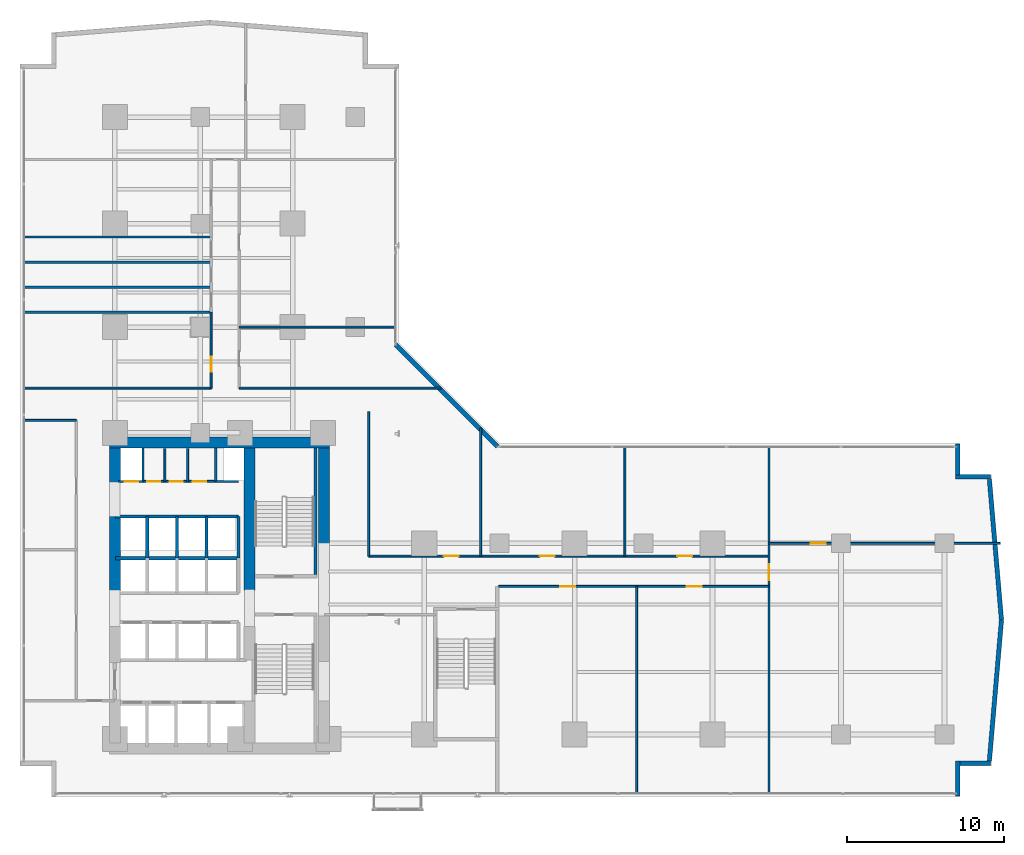
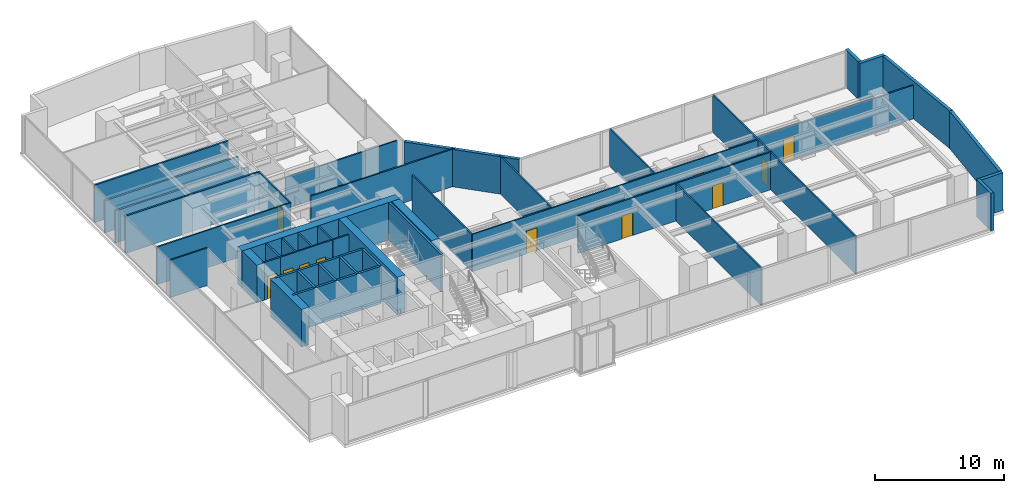
# One storey, part 23 of 26: 43 walls, 12 doors, 12 openings.
"""IFC4 building model written with IfcOpenShell, lengths in metres."""

from ifc_helpers import new_model, si_unit, direction, frame, frame_2d, origin, place, context, subcontext, project, spatial, rectangle, extrude, material, layer, layer_set, type_object, element, fill, save


model = new_model("IFC4")

# Units and contexts
model_context = context("Model", 3, precision=1e-05, world=origin(), true_north=direction((0.0, 1.0)))
body_context = subcontext(model_context, "Body", "Model", "MODEL_VIEW")
ifc_project = project(units=[si_unit("LENGTHUNIT", "METRE"), si_unit("AREAUNIT", "SQUARE_METRE"), si_unit("VOLUMEUNIT", "CUBIC_METRE"), si_unit("PLANEANGLEUNIT", "RADIAN"), si_unit("MASSUNIT", "GRAM", prefix="KILO")], contexts=[model_context])

# Site, building, storey
site_placement = place(None, origin())
site = spatial("IfcSite", under=ifc_project, at=site_placement, CompositionType="ELEMENT")
building_placement = place(site_placement, origin())
building = spatial("IfcBuilding", under=site, at=building_placement, Name="Kolvaren Waterfront Exchange", CompositionType="ELEMENT")
storey_placement = place(building_placement, frame((0.0, 0.0, 44.800048828125)))
storey = spatial("IfcBuildingStorey", under=building, at=storey_placement, Name="L11", CompositionType="ELEMENT", Elevation=44.800048828125)

# Walls
ifc_material_1 = material(Name="Precast concrete C40/50", Category="concrete")
ifc_layer_1 = layer(ifc_material_1, 0.280029296875, Name="Precast concrete C40/50")
ifc_layer_set_1 = layer_set([ifc_layer_1], Name="Precast concrete C40/50")
wall_type_1 = type_object("IfcWallType", Name="ARC-EXT-TERR-280", PredefinedType="SOLIDWALL", material=ifc_layer_set_1)
wall_1_placement = place(storey_placement, frame((61.239990234375, 1.260009765625, 0.0), z_axis=(0.0, 0.0, 1.0), x_axis=(0.0, 1.0, 0.0)))
element("IfcWall", 1, at=wall_1_placement, inside=storey, type_object=wall_type_1, Name="L11 notched corner spandrel pier SE-A", PredefinedType="SOLIDWALL", context=body_context, shape_type="SweptSolid", body=[
    extrude(rectangle(XDim=2.239990234375, YDim=0.280029296875, at=frame_2d((1.1201171875, 0.0))), origin(), (0.0, 0.0, 1.0), 3.5400390625),
])
wall_2_placement = place(storey_placement, frame((61.3798828125, 3.360107421875, 0.0), z_axis=(0.0, 0.0, 1.0), x_axis=(1.0, 0.0, 0.0)))
element("IfcWall", 2, at=wall_2_placement, inside=storey, type_object=wall_type_1, Name="L11 notched corner spandrel pier SE-B", PredefinedType="SOLIDWALL", context=body_context, shape_type="SweptSolid", body=[
    extrude(rectangle(XDim=1.960205078125, YDim=0.280029296875, at=frame_2d((0.97998046875, 0.0))), origin(), (0.0, 0.0, 1.0), 3.5400390625),
])
wall_3_placement = place(storey_placement, frame((61.239990234375, 21.764892578125, 0.0), z_axis=(0.0, 0.0, 1.0), x_axis=(0.0, 1.0, 0.0)))
element("IfcWall", 3, at=wall_3_placement, inside=storey, type_object=wall_type_1, Name="L11 notched corner spandrel pier ENE-A", PredefinedType="SOLIDWALL", context=body_context, shape_type="SweptSolid", body=[
    extrude(rectangle(XDim=1.97509765625, YDim=0.280029296875, at=frame_2d((0.987548828125, 0.0))), origin(), (0.0, 0.0, 1.0), 3.5400390625),
])
wall_4_placement = place(storey_placement, frame((61.10009765625, 21.639892578125, 0.0), z_axis=(0.0, 0.0, 1.0), x_axis=(1.0, 0.0, 0.0)))
element("IfcWall", 4, at=wall_4_placement, inside=storey, type_object=wall_type_1, Name="L11 notched corner spandrel pier ENE-B", PredefinedType="SOLIDWALL", context=body_context, shape_type="SweptSolid", body=[
    extrude(rectangle(XDim=2.239990234375, YDim=0.280029296875, at=frame_2d((1.1201171875, 0.0))), origin(), (0.0, 0.0, 1.0), 3.5400390625),
])
wall_5_placement = place(storey_placement, frame((31.885009765625, 23.574951171875, 0.0), z_axis=(0.0, 0.0, 1.0), x_axis=(-0.707106781187, 0.707106781187, 0.0)))
element("IfcWall", 5, at=wall_5_placement, inside=storey, type_object=wall_type_1, Name="L11 notched corner spandrel pier ELBOW", PredefinedType="SOLIDWALL", context=body_context, shape_type="SweptSolid", body=[
    extrude(rectangle(XDim=9.20654296875, YDim=0.280029296875, at=frame_2d((4.603271484375, 0.0))), origin(), (0.0, 0.0, 1.0), 3.5400390625),
])
for number, where, z_axis, x_axis, name in (
    (6, (63.266357421875, 3.5126953125, 0.0), (0.0, 0.0, 1.0), (0.085692274626, 0.996321651912, 0.0), "L11 east prow faceted facade wall 1"),
    (7, (64.038818359375, 12.506103515625, 0.0), (0.0, 0.0, 1.0), (-0.085692274626, 0.996321651912, 0.0), "L11 east prow faceted facade wall 2"),
):
    element("IfcWall", number, at=place(storey_placement, frame(where, z_axis=z_axis, x_axis=x_axis)), inside=storey, type_object=wall_type_1, Name=name, PredefinedType="SOLIDWALL", context=body_context, shape_type="SweptSolid", body=[
        extrude(rectangle(XDim=9.014404296875, YDim=0.280029296875, at=frame_2d((4.50732421875, 0.0))), origin(), (0.0, 0.0, 1.0), 3.5400390625),
    ])

# Wall, openings, doors
ifc_material_2 = material(Name="Acoustic gypsum steel stud", Category="steel")
ifc_layer_2 = layer(ifc_material_2, 0.125, Name="Acoustic gypsum steel stud")
ifc_layer_set_2 = layer_set([ifc_layer_2], Name="Acoustic gypsum steel stud")
wall_type_2 = type_object("IfcWallType", Name="ARC-PART-125", PredefinedType="PARTITIONING", material=ifc_layer_set_2)
wall_6_placement = place(storey_placement, frame((9.25, 21.35009765625, 0.0), z_axis=(0.0, 0.0, 1.0), x_axis=(1.0, 0.0, 0.0)))
wall_6 = element("IfcWall", 8, at=wall_6_placement, inside=storey, type_object=wall_type_2, Name="L11 interior wall PW-L11-SVC-EX-S", PredefinedType="PARTITIONING", context=body_context, shape_type="SweptSolid", body=[
    extrude(rectangle(XDim=4.64990234375, YDim=0.125, at=frame_2d((2.324951171875, 0.0))), origin(), (0.0, 0.0, 1.0), 3.5400390625),
])
opening_1_placement = place(wall_6_placement, frame((0.264892578125, 0.0, 0.0)))
opening_1 = element("IfcOpeningElement", 9, at=opening_1_placement, cuts=wall_6, Name="Opening D01", PredefinedType="OPENING", context=body_context, shape_type="SweptSolid", body=[
    extrude(rectangle(XDim=0.85009765625, YDim=2.14990234375, at=frame_2d((0.425048828125, 1.074951171875))), frame((0.0, 0.072509765625, 0.0), z_axis=(0.0, -1.0, 0.0), x_axis=(1.0, 0.0, 0.0)), (0.0, 0.0, 1.0), 0.14501953125),
])
opening_2_placement = place(wall_6_placement, frame((1.695068359375, 0.0, 0.0)))
opening_2 = element("IfcOpeningElement", 10, at=opening_2_placement, cuts=wall_6, Name="Opening D01", PredefinedType="OPENING", context=body_context, shape_type="SweptSolid", body=[
    extrude(rectangle(XDim=0.85009765625, YDim=2.14990234375, at=frame_2d((0.425048828125, 1.074951171875))), frame((0.0, 0.072509765625, 0.0), z_axis=(0.0, -1.0, 0.0), x_axis=(1.0, 0.0, 0.0)), (0.0, 0.0, 1.0), 0.14501953125),
])
opening_3_placement = place(wall_6_placement, frame((3.18994140625, 0.0, 0.0)))
opening_3 = element("IfcOpeningElement", 11, at=opening_3_placement, cuts=wall_6, Name="Opening D01", PredefinedType="OPENING", context=body_context, shape_type="SweptSolid", body=[
    extrude(rectangle(XDim=0.85009765625, YDim=2.14990234375, at=frame_2d((0.425048828125, 1.074951171875))), frame((0.0, 0.072509765625, 0.0), z_axis=(0.0, -1.0, 0.0), x_axis=(1.0, 0.0, 0.0)), (0.0, 0.0, 1.0), 0.14501953125),
])
ifc_material_3 = material(Name="Oak veneer timber leaf", Category="wood")
door_type_1 = type_object("IfcDoorType", Name="ARC-DR-900", OperationType="NOTDEFINED", PredefinedType="DOOR", material=ifc_material_3)
door_1_placement = place(opening_1_placement, origin())
door_1 = element("IfcDoor", 12, at=door_1_placement, inside=storey, type_object=door_type_1, Name="L11 door DR-L11-SVC-DR-1 (D01)", OperationType="SINGLE_SWING_LEFT", OverallHeight=2.14990234375, OverallWidth=0.85009765625, PredefinedType="DOOR", context=body_context, shape_type="SweptSolid", body=[
    extrude(rectangle(XDim=0.85009765625, YDim=2.14990234375, at=frame_2d((0.425048828125, 1.074951171875))), frame((0.0, 0.02490234375, 0.0), z_axis=(0.0, -1.0, 0.0), x_axis=(1.0, 0.0, 0.0)), (0.0, 0.0, 1.0), 0.050048828125),
])
fill(opening_1, door_1)
door_2_placement = place(opening_2_placement, origin())
door_2 = element("IfcDoor", 13, at=door_2_placement, inside=storey, type_object=door_type_1, Name="L11 door DR-L11-SVC-DR-2 (D01)", OperationType="SINGLE_SWING_RIGHT", OverallHeight=2.14990234375, OverallWidth=0.85009765625, PredefinedType="DOOR", context=body_context, shape_type="SweptSolid", body=[
    extrude(rectangle(XDim=0.85009765625, YDim=2.14990234375, at=frame_2d((0.425048828125, 1.074951171875))), frame((0.0, 0.02490234375, 0.0), z_axis=(0.0, -1.0, 0.0), x_axis=(1.0, 0.0, 0.0)), (0.0, 0.0, 1.0), 0.050048828125),
])
fill(opening_2, door_2)
door_3_placement = place(opening_3_placement, origin())
door_3 = element("IfcDoor", 14, at=door_3_placement, inside=storey, type_object=door_type_1, Name="L11 door DR-L11-SVC-DR-3 (D01)", OperationType="SINGLE_SWING_LEFT", OverallHeight=2.14990234375, OverallWidth=0.85009765625, PredefinedType="DOOR", context=body_context, shape_type="SweptSolid", body=[
    extrude(rectangle(XDim=0.85009765625, YDim=2.14990234375, at=frame_2d((0.425048828125, 1.074951171875))), frame((0.0, 0.02490234375, 0.0), z_axis=(0.0, -1.0, 0.0), x_axis=(1.0, 0.0, 0.0)), (0.0, 0.0, 1.0), 0.050048828125),
])
fill(opening_3, door_3)

# Walls
for number, where, z_axis, x_axis, name in (
    (15, (10.64990234375, 21.35009765625, 0.0), (0.0, 0.0, 1.0), (0.0, 1.0, 0.0), "L11 interior wall PW-L11-SVC-EX-A"),
    (16, (12.10009765625, 21.35009765625, 0.0), (0.0, 0.0, 1.0), (0.0, 1.0, 0.0), "L11 interior wall PW-L11-SVC-EX-B"),
):
    element("IfcWall", number, at=place(storey_placement, frame(where, z_axis=z_axis, x_axis=x_axis)), inside=storey, type_object=wall_type_2, Name=name, PredefinedType="PARTITIONING", context=body_context, shape_type="SweptSolid", body=[
        extrude(rectangle(XDim=2.099853515625, YDim=0.125, at=frame_2d((1.0498046875, 0.0))), origin(), (0.0, 0.0, 1.0), 3.5400390625),
    ])

# Wall, opening, door
wall_7_placement = place(storey_placement, frame((13.60009765625, 27.300048828125, 0.0), z_axis=(0.0, 0.0, 1.0), x_axis=(0.0, 1.0, 0.0)))
wall_7 = element("IfcWall", 17, at=wall_7_placement, inside=storey, type_object=wall_type_2, Name="L11 interior wall PW-L11-PREWC-E", PredefinedType="PARTITIONING", context=body_context, shape_type="SweptSolid", body=[
    extrude(rectangle(XDim=4.849853515625, YDim=0.125, at=frame_2d((2.4248046875, 0.0))), origin(), (0.0, 0.0, 1.0), 3.5400390625),
])
opening_4_placement = place(wall_7_placement, frame((1.050048828125, 0.0, 0.0)))
opening_4 = element("IfcOpeningElement", 18, at=opening_4_placement, cuts=wall_7, Name="Opening D02", PredefinedType="OPENING", context=body_context, shape_type="SweptSolid", body=[
    extrude(rectangle(XDim=0.949951171875, YDim=2.14990234375, at=frame_2d((0.47509765625, 1.074951171875))), frame((0.0, 0.072509765625, 0.0), z_axis=(0.0, -1.0, 0.0), x_axis=(1.0, 0.0, 0.0)), (0.0, 0.0, 1.0), 0.14501953125),
])
ifc_material_4 = material(Name="Oak veneer acoustic timber", Category="wood")
door_type_2 = type_object("IfcDoorType", Name="ARC-DR-950", OperationType="NOTDEFINED", PredefinedType="DOOR", material=ifc_material_4)
door_4_placement = place(opening_4_placement, origin())
door_4 = element("IfcDoor", 19, at=door_4_placement, inside=storey, type_object=door_type_2, Name="L11 door DR-L11-PREWC-D (D02)", OperationType="SINGLE_SWING_RIGHT", OverallHeight=2.14990234375, OverallWidth=0.949951171875, PredefinedType="DOOR", context=body_context, shape_type="SweptSolid", body=[
    extrude(rectangle(XDim=0.949951171875, YDim=2.14990234375, at=frame_2d((0.47509765625, 1.074951171875))), frame((0.0, 0.02490234375, 0.0), z_axis=(0.0, -1.0, 0.0), x_axis=(1.0, 0.0, 0.0)), (0.0, 0.0, 1.0), 0.050048828125),
])
fill(opening_4, door_4)

# Walls
wall_8_placement = place(storey_placement, frame((1.639892578125, 27.300048828125, 0.0), z_axis=(0.0, 0.0, 1.0), x_axis=(1.0, 0.0, 0.0)))
element("IfcWall", 20, at=wall_8_placement, inside=storey, type_object=wall_type_2, Name="L11 interior wall PW-L11-PREWC-S", PredefinedType="PARTITIONING", context=body_context, shape_type="SweptSolid", body=[
    extrude(rectangle(XDim=11.960205078125, YDim=0.125, at=frame_2d((5.97998046875, 0.0))), origin(), (0.0, 0.0, 1.0), 3.5400390625),
])
wall_9_placement = place(storey_placement, frame((1.639892578125, 25.25, 0.0), z_axis=(0.0, 0.0, 1.0), x_axis=(1.0, 0.0, 0.0)))
element("IfcWall", 21, at=wall_9_placement, inside=storey, type_object=wall_type_2, Name="L11 interior wall PW-L11-WFLANK-N", PredefinedType="PARTITIONING", context=body_context, shape_type="SweptSolid", body=[
    extrude(rectangle(XDim=3.360107421875, YDim=0.125, at=frame_2d((1.68017578125, 0.0))), origin(), (0.0, 0.0, 1.0), 3.5400390625),
])

# Wall, openings, doors
wall_10_placement = place(storey_placement, frame((31.949951171875, 14.64990234375, 0.0), z_axis=(0.0, 0.0, 1.0), x_axis=(1.0, 0.0, 0.0)))
wall_10 = element("IfcWall", 22, at=wall_10_placement, inside=storey, type_object=wall_type_2, Name="L11 interior wall PW-L11-ES-CORR", PredefinedType="PARTITIONING", context=body_context, shape_type="SweptSolid", body=[
    extrude(rectangle(XDim=17.25, YDim=0.125, at=frame_2d((8.625, 0.0))), origin(), (0.0, 0.0, 1.0), 3.5400390625),
])
opening_5_placement = place(wall_10_placement, frame((3.925048828125, 0.0, 0.0)))
opening_5 = element("IfcOpeningElement", 23, at=opening_5_placement, cuts=wall_10, Name="Opening D02", PredefinedType="OPENING", context=body_context, shape_type="SweptSolid", body=[
    extrude(rectangle(XDim=0.949951171875, YDim=2.14990234375, at=frame_2d((0.47509765625, 1.074951171875))), frame((0.0, 0.072509765625, 0.0), z_axis=(0.0, -1.0, 0.0), x_axis=(1.0, 0.0, 0.0)), (0.0, 0.0, 1.0), 0.14501953125),
])
opening_6_placement = place(wall_10_placement, frame((12.0048828125, 0.0, 0.0)))
opening_6 = element("IfcOpeningElement", 24, at=opening_6_placement, cuts=wall_10, Name="Opening D02", PredefinedType="OPENING", context=body_context, shape_type="SweptSolid", body=[
    extrude(rectangle(XDim=0.949951171875, YDim=2.14990234375, at=frame_2d((0.47509765625, 1.074951171875))), frame((0.0, 0.072509765625, 0.0), z_axis=(0.0, -1.0, 0.0), x_axis=(1.0, 0.0, 0.0)), (0.0, 0.0, 1.0), 0.14501953125),
])
door_5_placement = place(opening_5_placement, origin())
door_5 = element("IfcDoor", 25, at=door_5_placement, inside=storey, type_object=door_type_2, Name="L11 door DR-L11-ES-D-1 (D02)", OperationType="SINGLE_SWING_RIGHT", OverallHeight=2.14990234375, OverallWidth=0.949951171875, PredefinedType="DOOR", context=body_context, shape_type="SweptSolid", body=[
    extrude(rectangle(XDim=0.949951171875, YDim=2.14990234375, at=frame_2d((0.47509765625, 1.074951171875))), frame((0.0, 0.02490234375, 0.0), z_axis=(0.0, -1.0, 0.0), x_axis=(1.0, 0.0, 0.0)), (0.0, 0.0, 1.0), 0.050048828125),
])
fill(opening_5, door_5)
door_6_placement = place(opening_6_placement, origin())
door_6 = element("IfcDoor", 26, at=door_6_placement, inside=storey, type_object=door_type_2, Name="L11 door DR-L11-ES-D-2 (D02)", OperationType="SINGLE_SWING_LEFT", OverallHeight=2.14990234375, OverallWidth=0.949951171875, PredefinedType="DOOR", context=body_context, shape_type="SweptSolid", body=[
    extrude(rectangle(XDim=0.949951171875, YDim=2.14990234375, at=frame_2d((0.47509765625, 1.074951171875))), frame((0.0, 0.02490234375, 0.0), z_axis=(0.0, -1.0, 0.0), x_axis=(1.0, 0.0, 0.0)), (0.0, 0.0, 1.0), 0.050048828125),
])
fill(opening_6, door_6)

# Wall
wall_11_placement = place(storey_placement, frame((40.75, 1.43994140625, 0.0), z_axis=(0.0, 0.0, 1.0), x_axis=(0.0, 1.0, 0.0)))
element("IfcWall", 27, at=wall_11_placement, inside=storey, type_object=wall_type_2, Name="L11 interior wall PW-L11-ES-DIV-1", PredefinedType="PARTITIONING", context=body_context, shape_type="SweptSolid", body=[
    extrude(rectangle(XDim=13.2099609375, YDim=0.125, at=frame_2d((6.60498046875, 0.0))), origin(), (0.0, 0.0, 1.0), 3.5400390625),
])

# Wall, opening, door
wall_12_placement = place(storey_placement, frame((49.199951171875, 1.43994140625, 0.0), z_axis=(0.0, 0.0, 1.0), x_axis=(0.0, 1.0, 0.0)))
wall_12 = element("IfcWall", 28, at=wall_12_placement, inside=storey, type_object=wall_type_2, Name="L11 interior wall PW-L11-ETIP-W", PredefinedType="PARTITIONING", context=body_context, shape_type="SweptSolid", body=[
    extrude(rectangle(XDim=22.1201171875, YDim=0.125, at=frame_2d((11.06005859375, 0.0))), origin(), (0.0, 0.0, 1.0), 3.5400390625),
])
opening_7_placement = place(wall_12_placement, frame((13.610107421875, 0.0, 0.0)))
opening_7 = element("IfcOpeningElement", 29, at=opening_7_placement, cuts=wall_12, Name="Opening D03", PredefinedType="OPENING", context=body_context, shape_type="SweptSolid", body=[
    extrude(rectangle(XDim=1.0, YDim=2.199951171875, at=frame_2d((0.5, 1.10009765625))), frame((0.0, 0.072509765625, 0.0), z_axis=(0.0, -1.0, 0.0), x_axis=(1.0, 0.0, 0.0)), (0.0, 0.0, 1.0), 0.14501953125),
])
ifc_material_5 = material(Name="Oak veneer accessible timber", Category="wood")
door_type_3 = type_object("IfcDoorType", Name="ARC-DR-1000", OperationType="NOTDEFINED", PredefinedType="DOOR", material=ifc_material_5)
door_7_placement = place(opening_7_placement, origin())
door_7 = element("IfcDoor", 30, at=door_7_placement, inside=storey, type_object=door_type_3, Name="L11 door DR-L11-ETIP1-D (D03)", OperationType="SINGLE_SWING_RIGHT", OverallHeight=2.199951171875, OverallWidth=1.0, PredefinedType="DOOR", context=body_context, shape_type="SweptSolid", body=[
    extrude(rectangle(XDim=1.0, YDim=2.199951171875, at=frame_2d((0.5, 1.10009765625))), frame((0.0, 0.02490234375, 0.0), z_axis=(0.0, -1.0, 0.0), x_axis=(1.0, 0.0, 0.0)), (0.0, 0.0, 1.0), 0.050048828125),
])
fill(opening_7, door_7)

wall_13_placement = place(storey_placement, frame((49.199951171875, 17.39990234375, 0.0), z_axis=(0.0, 0.0, 1.0), x_axis=(1.0, 0.0, 0.0)))
wall_13 = element("IfcWall", 31, at=wall_13_placement, inside=storey, type_object=wall_type_2, Name="L11 interior wall PW-L11-ETIP-MID", PredefinedType="PARTITIONING", context=body_context, shape_type="SweptSolid", body=[
    extrude(rectangle(XDim=14.760009765625, YDim=0.125, at=frame_2d((7.3798828125, 0.0))), origin(), (0.0, 0.0, 1.0), 3.179931640625),
])
opening_8_placement = place(wall_13_placement, frame((2.66259765625, 0.0, 0.0)))
opening_8 = element("IfcOpeningElement", 32, at=opening_8_placement, cuts=wall_13, Name="Opening D02", PredefinedType="OPENING", context=body_context, shape_type="SweptSolid", body=[
    extrude(rectangle(XDim=0.949951171875, YDim=2.14990234375, at=frame_2d((0.47509765625, 1.074951171875))), frame((0.0, 0.072509765625, 0.0), z_axis=(0.0, -1.0, 0.0), x_axis=(1.0, 0.0, 0.0)), (0.0, 0.0, 1.0), 0.14501953125),
])
door_8_placement = place(opening_8_placement, origin())
door_8 = element("IfcDoor", 33, at=door_8_placement, inside=storey, type_object=door_type_2, Name="L11 door DR-L11-ETIP2-D (D02)", OperationType="SINGLE_SWING_LEFT", OverallHeight=2.14990234375, OverallWidth=0.949951171875, PredefinedType="DOOR", context=body_context, shape_type="SweptSolid", body=[
    extrude(rectangle(XDim=0.949951171875, YDim=2.14990234375, at=frame_2d((0.47509765625, 1.074951171875))), frame((0.0, 0.02490234375, 0.0), z_axis=(0.0, -1.0, 0.0), x_axis=(1.0, 0.0, 0.0)), (0.0, 0.0, 1.0), 0.050048828125),
])
fill(opening_8, door_8)

# Wall
wall_14_placement = place(storey_placement, frame((23.64990234375, 16.590087890625, 0.0), z_axis=(0.0, 0.0, 1.0), x_axis=(0.0, 1.0, 0.0)))
element("IfcWall", 34, at=wall_14_placement, inside=storey, type_object=wall_type_2, Name="L11 interior wall PW-L11-EN-W0", PredefinedType="PARTITIONING", context=body_context, shape_type="SweptSolid", body=[
    extrude(rectangle(XDim=9.2099609375, YDim=0.125, at=frame_2d((4.60498046875, 0.0))), origin(), (0.0, 0.0, 1.0), 3.5400390625),
])

# Wall, openings, doors
wall_15_placement = place(storey_placement, frame((23.64990234375, 16.590087890625, 0.0), z_axis=(0.0, 0.0, 1.0), x_axis=(1.0, 0.0, 0.0)))
wall_15 = element("IfcWall", 35, at=wall_15_placement, inside=storey, type_object=wall_type_2, Name="L11 interior wall PW-L11-EN-CORR", PredefinedType="PARTITIONING", context=body_context, shape_type="SweptSolid", body=[
    extrude(rectangle(XDim=25.550048828125, YDim=0.125, at=frame_2d((12.77490234375, 0.0))), origin(), (0.0, 0.0, 1.0), 3.5400390625),
])
opening_9_placement = place(wall_15_placement, frame((4.805419921875, 0.0, 0.0)))
opening_9 = element("IfcOpeningElement", 36, at=opening_9_placement, cuts=wall_15, Name="Opening D02", PredefinedType="OPENING", context=body_context, shape_type="SweptSolid", body=[
    extrude(rectangle(XDim=0.949951171875, YDim=2.14990234375, at=frame_2d((0.47509765625, 1.074951171875))), frame((0.0, 0.072509765625, 0.0), z_axis=(0.0, -1.0, 0.0), x_axis=(1.0, 0.0, 0.0)), (0.0, 0.0, 1.0), 0.14501953125),
])
opening_10_placement = place(wall_15_placement, frame((10.923583984375, 0.0, 0.0)))
opening_10 = element("IfcOpeningElement", 37, at=opening_10_placement, cuts=wall_15, Name="Opening D02", PredefinedType="OPENING", context=body_context, shape_type="SweptSolid", body=[
    extrude(rectangle(XDim=0.949951171875, YDim=2.14990234375, at=frame_2d((0.47509765625, 1.074951171875))), frame((0.0, 0.072509765625, 0.0), z_axis=(0.0, -1.0, 0.0), x_axis=(1.0, 0.0, 0.0)), (0.0, 0.0, 1.0), 0.14501953125),
])
opening_11_placement = place(wall_15_placement, frame((19.701904296875, 0.0, 0.0)))
opening_11 = element("IfcOpeningElement", 38, at=opening_11_placement, cuts=wall_15, Name="Opening D02", PredefinedType="OPENING", context=body_context, shape_type="SweptSolid", body=[
    extrude(rectangle(XDim=0.949951171875, YDim=2.14990234375, at=frame_2d((0.47509765625, 1.074951171875))), frame((0.0, 0.072509765625, 0.0), z_axis=(0.0, -1.0, 0.0), x_axis=(1.0, 0.0, 0.0)), (0.0, 0.0, 1.0), 0.14501953125),
])
door_9_placement = place(opening_9_placement, origin())
door_9 = element("IfcDoor", 39, at=door_9_placement, inside=storey, type_object=door_type_2, Name="L11 door DR-L11-EN-D-1 (D02)", OperationType="SINGLE_SWING_RIGHT", OverallHeight=2.14990234375, OverallWidth=0.949951171875, PredefinedType="DOOR", context=body_context, shape_type="SweptSolid", body=[
    extrude(rectangle(XDim=0.949951171875, YDim=2.14990234375, at=frame_2d((0.47509765625, 1.074951171875))), frame((0.0, 0.02490234375, 0.0), z_axis=(0.0, -1.0, 0.0), x_axis=(1.0, 0.0, 0.0)), (0.0, 0.0, 1.0), 0.050048828125),
])
fill(opening_9, door_9)
door_10_placement = place(opening_10_placement, origin())
door_10 = element("IfcDoor", 40, at=door_10_placement, inside=storey, type_object=door_type_2, Name="L11 door DR-L11-EN-D-2 (D02)", OperationType="SINGLE_SWING_LEFT", OverallHeight=2.14990234375, OverallWidth=0.949951171875, PredefinedType="DOOR", context=body_context, shape_type="SweptSolid", body=[
    extrude(rectangle(XDim=0.949951171875, YDim=2.14990234375, at=frame_2d((0.47509765625, 1.074951171875))), frame((0.0, 0.02490234375, 0.0), z_axis=(0.0, -1.0, 0.0), x_axis=(1.0, 0.0, 0.0)), (0.0, 0.0, 1.0), 0.050048828125),
])
fill(opening_10, door_10)
door_11_placement = place(opening_11_placement, origin())
door_11 = element("IfcDoor", 41, at=door_11_placement, inside=storey, type_object=door_type_2, Name="L11 door DR-L11-EN-D-3 (D02)", OperationType="SINGLE_SWING_RIGHT", OverallHeight=2.14990234375, OverallWidth=0.949951171875, PredefinedType="DOOR", context=body_context, shape_type="SweptSolid", body=[
    extrude(rectangle(XDim=0.949951171875, YDim=2.14990234375, at=frame_2d((0.47509765625, 1.074951171875))), frame((0.0, 0.02490234375, 0.0), z_axis=(0.0, -1.0, 0.0), x_axis=(1.0, 0.0, 0.0)), (0.0, 0.0, 1.0), 0.050048828125),
])
fill(opening_11, door_11)

# Walls
wall_16_placement = place(storey_placement, frame((30.800048828125, 16.590087890625, 0.0), z_axis=(0.0, 0.0, 1.0), x_axis=(0.0, 1.0, 0.0)))
element("IfcWall", 42, at=wall_16_placement, inside=storey, type_object=wall_type_2, Name="L11 interior wall PW-L11-EN-DIV-1", PredefinedType="PARTITIONING", context=body_context, shape_type="SweptSolid", body=[
    extrude(rectangle(XDim=8.169921875, YDim=0.125, at=frame_2d((4.0849609375, 0.0))), origin(), (0.0, 0.0, 1.0), 3.5400390625),
])
wall_17_placement = place(storey_placement, frame((40.0, 16.590087890625, 0.0), z_axis=(0.0, 0.0, 1.0), x_axis=(0.0, 1.0, 0.0)))
element("IfcWall", 43, at=wall_17_placement, inside=storey, type_object=wall_type_2, Name="L11 interior wall PW-L11-EN-DIV-2", PredefinedType="PARTITIONING", context=body_context, shape_type="SweptSolid", body=[
    extrude(rectangle(XDim=6.969970703125, YDim=0.125, at=frame_2d((3.48486328125, 0.0))), origin(), (0.0, 0.0, 1.0), 3.5400390625),
])
wall_18_placement = place(storey_placement, frame((15.3798828125, 27.300048828125, 0.0), z_axis=(0.0, 0.0, 1.0), x_axis=(1.0, 0.0, 0.0)))
element("IfcWall", 44, at=wall_18_placement, inside=storey, type_object=wall_type_2, Name="L11 interior wall PW-L11-NE-S0", PredefinedType="PARTITIONING", context=body_context, shape_type="SweptSolid", body=[
    extrude(rectangle(XDim=12.880126953125, YDim=0.125, at=frame_2d((6.43994140625, 0.0))), origin(), (0.0, 0.0, 1.0), 3.5400390625),
])
wall_19_placement = place(storey_placement, frame((15.3798828125, 31.199951171875, 0.0), z_axis=(0.0, 0.0, 1.0), x_axis=(1.0, 0.0, 0.0)))
element("IfcWall", 45, at=wall_19_placement, inside=storey, type_object=wall_type_2, Name="L11 interior wall PW-L11-NE-DIV-1", PredefinedType="PARTITIONING", context=body_context, shape_type="SweptSolid", body=[
    extrude(rectangle(XDim=9.980224609375, YDim=0.125, at=frame_2d((4.990234375, 0.0))), origin(), (0.0, 0.0, 1.0), 2.93994140625),
])
ifc_material_6 = material(Name="Gypsum fireboard steel stud", Category="steel")
ifc_layer_3 = layer(ifc_material_6, 0.14990234375, Name="Gypsum fireboard steel stud")
ifc_layer_set_3 = layer_set([ifc_layer_3], Name="Gypsum fireboard steel stud")
wall_type_3 = type_object("IfcWallType", Name="ARC-PART-150", PredefinedType="PARTITIONING", material=ifc_layer_set_3)
for number, where, z_axis, x_axis, name in (
    (46, (9.25, 21.35009765625, 0.0), (0.0, 0.0, 1.0), (0.0, 1.0, 0.0), "L11 interior wall PW-L11-SVC-R1"),
    (47, (13.89990234375, 21.35009765625, 0.0), (0.0, 0.0, 1.0), (0.0, 1.0, 0.0), "L11 interior wall PW-L11-SVC-R2"),
):
    element("IfcWall", number, at=place(storey_placement, frame(where, z_axis=z_axis, x_axis=x_axis)), inside=storey, type_object=wall_type_3, Name=name, PredefinedType="PARTITIONING", context=body_context, shape_type="SweptSolid", body=[
        extrude(rectangle(XDim=2.1298828125, YDim=0.14990234375, at=frame_2d((1.06494140625, 0.0))), origin(), (0.0, 0.0, 1.0), 3.5400390625),
    ])

# Wall, opening, door
wall_20_placement = place(storey_placement, frame((7.699951171875, 21.35009765625, 0.0), z_axis=(0.0, 0.0, 1.0), x_axis=(1.0, 0.0, 0.0)))
wall_20 = element("IfcWall", 48, at=wall_20_placement, inside=storey, type_object=wall_type_3, Name="L11 interior wall PW-L11-SVC-RE-S", PredefinedType="PARTITIONING", context=body_context, shape_type="SweptSolid", body=[
    extrude(rectangle(XDim=1.550048828125, YDim=0.14990234375, at=frame_2d((0.77490234375, 0.0))), origin(), (0.0, 0.0, 1.0), 3.5400390625),
])
opening_12_placement = place(wall_20_placement, frame((0.389892578125, 0.0, 0.0)))
opening_12 = element("IfcOpeningElement", 49, at=opening_12_placement, cuts=wall_20, Name="Opening FD1", PredefinedType="OPENING", context=body_context, shape_type="SweptSolid", body=[
    extrude(rectangle(XDim=0.85009765625, YDim=2.14990234375, at=frame_2d((0.425048828125, 1.074951171875))), frame((0.0, 0.0849609375, 0.0), z_axis=(0.0, -1.0, 0.0), x_axis=(1.0, 0.0, 0.0)), (0.0, 0.0, 1.0), 0.169921875),
])
ifc_material_7 = material(Name="Pressed steel fire leaf", Category="steel")
door_type_4 = type_object("IfcDoorType", Name="ARC-FD-900", OperationType="NOTDEFINED", PredefinedType="DOOR", material=ifc_material_7)
door_12_placement = place(opening_12_placement, origin())
door_12 = element("IfcDoor", 50, at=door_12_placement, inside=storey, type_object=door_type_4, Name="L11 door DR-L11-RISER-E-DR (FD1)", OperationType="SINGLE_SWING_RIGHT", OverallHeight=2.14990234375, OverallWidth=0.85009765625, PredefinedType="DOOR", context=body_context, shape_type="SweptSolid", body=[
    extrude(rectangle(XDim=0.85009765625, YDim=2.14990234375, at=frame_2d((0.425048828125, 1.074951171875))), frame((0.0, 0.02490234375, 0.0), z_axis=(0.0, -1.0, 0.0), x_axis=(1.0, 0.0, 0.0)), (0.0, 0.0, 1.0), 0.050048828125),
])
fill(opening_12, door_12)

# Walls
wall_21_placement = place(storey_placement, frame((13.89990234375, 21.35009765625, 0.0), z_axis=(0.0, 0.0, 1.0), x_axis=(1.0, 0.0, 0.0)))
element("IfcWall", 51, at=wall_21_placement, inside=storey, type_object=wall_type_3, Name="L11 interior wall PW-L11-SVC-RP-S", PredefinedType="PARTITIONING", context=body_context, shape_type="SweptSolid", body=[
    extrude(rectangle(XDim=1.4501953125, YDim=0.14990234375, at=frame_2d((0.72509765625, 0.0))), origin(), (0.0, 0.0, 1.0), 3.5400390625),
])
ifc_material_8 = material(Name="Moisture-resistant gypsum stud")
ifc_layer_4 = layer(ifc_material_8, 0.14990234375, Name="Moisture-resistant gypsum stud")
ifc_layer_set_4 = layer_set([ifc_layer_4], Name="Moisture-resistant gypsum stud")
wall_type_4 = type_object("IfcWallType", Name="ARC-PLUMB-150", PredefinedType="PLUMBINGWALL", material=ifc_layer_set_4)
wall_22_placement = place(storey_placement, frame((1.639892578125, 32.14990234375, 0.0), z_axis=(0.0, 0.0, 1.0), x_axis=(1.0, 0.0, 0.0)))
element("IfcWall", 52, at=wall_22_placement, inside=storey, type_object=wall_type_4, Name="L11 interior wall PW-L11-WC-0", PredefinedType="PLUMBINGWALL", context=body_context, shape_type="SweptSolid", body=[
    extrude(rectangle(XDim=11.960205078125, YDim=0.14990234375, at=frame_2d((5.97998046875, 0.0))), origin(), (0.0, 0.0, 1.0), 3.5400390625),
])
for number, where, z_axis, x_axis, name in (
    (53, (1.639892578125, 33.75, 0.0), (0.0, 0.0, 1.0), (1.0, 0.0, 0.0), "L11 interior wall PW-L11-WC-1"),
    (54, (1.639892578125, 35.35009765625, 0.0), (0.0, 0.0, 1.0), (1.0, 0.0, 0.0), "L11 interior wall PW-L11-WC-2"),
):
    element("IfcWall", number, at=place(storey_placement, frame(where, z_axis=z_axis, x_axis=x_axis)), inside=storey, type_object=wall_type_4, Name=name, PredefinedType="PLUMBINGWALL", context=body_context, shape_type="SweptSolid", body=[
        extrude(rectangle(XDim=11.960205078125, YDim=0.14990234375, at=frame_2d((5.97998046875, 0.0))), origin(), (0.0, 0.0, 1.0), 3.0400390625),
    ])
wall_23_placement = place(storey_placement, frame((1.639892578125, 36.949951171875, 0.0), z_axis=(0.0, 0.0, 1.0), x_axis=(1.0, 0.0, 0.0)))
element("IfcWall", 55, at=wall_23_placement, inside=storey, type_object=wall_type_4, Name="L11 interior wall PW-L11-WC-3", PredefinedType="PLUMBINGWALL", context=body_context, shape_type="SweptSolid", body=[
    extrude(rectangle(XDim=11.960205078125, YDim=0.14990234375, at=frame_2d((5.97998046875, 0.0))), origin(), (0.0, 0.0, 1.0), 3.5400390625),
])
ifc_material_9 = material(Name="Concrete C40/50", Category="concrete")
ifc_layer_5 = layer(ifc_material_9, 0.199951171875, Name="Concrete C40/50")
ifc_layer_set_5 = layer_set([ifc_layer_5], Name="Concrete C40/50")
wall_type_5 = type_object("IfcWallType", Name="ARC-SHAFT-200", PredefinedType="PARTITIONING", material=ifc_layer_set_5)
wall_24_placement = place(storey_placement, frame((20.260009765625, 15.39990234375, 0.0), z_axis=(0.0, 0.0, 1.0), x_axis=(0.0, 1.0, 0.0)))
element("IfcWall", 56, at=wall_24_placement, inside=storey, type_object=wall_type_5, Name="L11 structural stairwell wall PW-L11-ST2-E", PredefinedType="SHEAR", context=body_context, shape_type="SweptSolid", body=[
    extrude(rectangle(XDim=8.090087890625, YDim=0.199951171875, at=frame_2d((4.044921875, 0.0))), origin(), (0.0, 0.0, 1.0), 3.5400390625),
])
for number, where, z_axis, x_axis, name in (
    (57, (7.5, 16.449951171875, 0.0), (0.0, 0.0, 1.0), (1.0, 0.0, 0.0), "L11 interior wall PW-L11-PM-N"),
    (58, (7.5, 19.1201171875, 0.0), (0.0, 0.0, 1.0), (1.0, 0.0, 0.0), "L11 interior wall PW-L11-PH-N"),
):
    element("IfcWall", number, at=place(storey_placement, frame(where, z_axis=z_axis, x_axis=x_axis)), inside=storey, type_object=wall_type_5, Name=name, PredefinedType="PARTITIONING", context=body_context, shape_type="SweptSolid", body=[
        extrude(rectangle(XDim=7.85009765625, YDim=0.199951171875, at=frame_2d((3.925048828125, 0.0))), origin(), (0.0, 0.0, 1.0), 3.5400390625),
    ])
for number, where, z_axis, x_axis, name in (
    (59, (15.35009765625, 16.449951171875, 0.0), (0.0, 0.0, 1.0), (0.0, 1.0, 0.0), "L11 interior wall PW-L11-PH-E"),
    (60, (9.52001953125, 16.449951171875, 0.0), (0.0, 0.0, 1.0), (0.0, 1.0, 0.0), "L11 interior wall PW-L11-SH4-DIV-95"),
    (61, (11.409912109375, 16.449951171875, 0.0), (0.0, 0.0, 1.0), (0.0, 1.0, 0.0), "L11 interior wall PW-L11-SH4-DIV-114"),
    (62, (13.300048828125, 16.449951171875, 0.0), (0.0, 0.0, 1.0), (0.0, 1.0, 0.0), "L11 interior wall PW-L11-SH4-DIV-133"),
):
    element("IfcWall", number, at=place(storey_placement, frame(where, z_axis=z_axis, x_axis=x_axis)), inside=storey, type_object=wall_type_5, Name=name, PredefinedType="PARTITIONING", context=body_context, shape_type="SweptSolid", body=[
        extrude(rectangle(XDim=2.670166015625, YDim=0.199951171875, at=frame_2d((1.3349609375, 0.0))), origin(), (0.0, 0.0, 1.0), 3.5400390625),
    ])
ifc_material_10 = material(Name="Concrete C70/85", Category="concrete")
ifc_layer_6 = layer(ifc_material_10, 0.699951171875, Name="Concrete C70/85")
ifc_layer_set_6 = layer_set([ifc_layer_6], Name="Concrete C70/85")
wall_type_6 = type_object("IfcWallType", Name="STR-CWALL-700", PredefinedType="SHEAR", material=ifc_layer_set_6)
wall_25_placement = place(storey_placement, frame((7.10009765625, 23.85009765625, 0.0), z_axis=(0.0, 0.0, 1.0), x_axis=(1.0, 0.0, 0.0)))
element("IfcWall", 63, at=wall_25_placement, inside=storey, type_object=wall_type_6, Name="L11 rear-core shear wall N", PredefinedType="SHEAR", context=body_context, shape_type="SweptSolid", body=[
    extrude(rectangle(XDim=14.0498046875, YDim=0.699951171875, at=frame_2d((7.02490234375, 0.0))), origin(), (0.0, 0.0, 1.0), 3.5400390625),
])
wall_26_placement = place(storey_placement, frame((7.449951171875, 14.35009765625, 0.0), z_axis=(0.0, 0.0, 1.0), x_axis=(0.0, 1.0, 0.0)))
element("IfcWall", 64, at=wall_26_placement, inside=storey, type_object=wall_type_6, Name="L11 rear-core shear wall W2B", PredefinedType="SHEAR", context=body_context, shape_type="SweptSolid", body=[
    extrude(rectangle(XDim=4.809814453125, YDim=0.699951171875, at=frame_2d((2.40478515625, 0.0))), origin(), (0.0, 0.0, 1.0), 3.5400390625),
])
wall_27_placement = place(storey_placement, frame((7.449951171875, 21.239990234375, 0.0), z_axis=(0.0, 0.0, 1.0), x_axis=(0.0, 1.0, 0.0)))
element("IfcWall", 65, at=wall_27_placement, inside=storey, type_object=wall_type_6, Name="L11 rear-core shear wall W3", PredefinedType="SHEAR", context=body_context, shape_type="SweptSolid", body=[
    extrude(rectangle(XDim=2.260009765625, YDim=0.699951171875, at=frame_2d((1.1298828125, 0.0))), origin(), (0.0, 0.0, 1.0), 3.5400390625),
])
wall_28_placement = place(storey_placement, frame((20.800048828125, 17.35009765625, 0.0), z_axis=(0.0, 0.0, 1.0), x_axis=(0.0, 1.0, 0.0)))
element("IfcWall", 66, at=wall_28_placement, inside=storey, type_object=wall_type_6, Name="L11 rear-core shear wall E3", PredefinedType="SHEAR", context=body_context, shape_type="SweptSolid", body=[
    extrude(rectangle(XDim=6.14990234375, YDim=0.699951171875, at=frame_2d((3.074951171875, 0.0))), origin(), (0.0, 0.0, 1.0), 3.5400390625),
])
wall_29_placement = place(storey_placement, frame((16.050048828125, 14.39990234375, 0.0), z_axis=(0.0, 0.0, 1.0), x_axis=(0.0, 1.0, 0.0)))
element("IfcWall", 67, at=wall_29_placement, inside=storey, type_object=wall_type_6, Name="L11 rear-core shear wall M3", PredefinedType="SHEAR", context=body_context, shape_type="SweptSolid", body=[
    extrude(rectangle(XDim=9.10009765625, YDim=0.699951171875, at=frame_2d((4.550048828125, 0.0))), origin(), (0.0, 0.0, 1.0), 3.5400390625),
])

save(model, "model.ifc")
